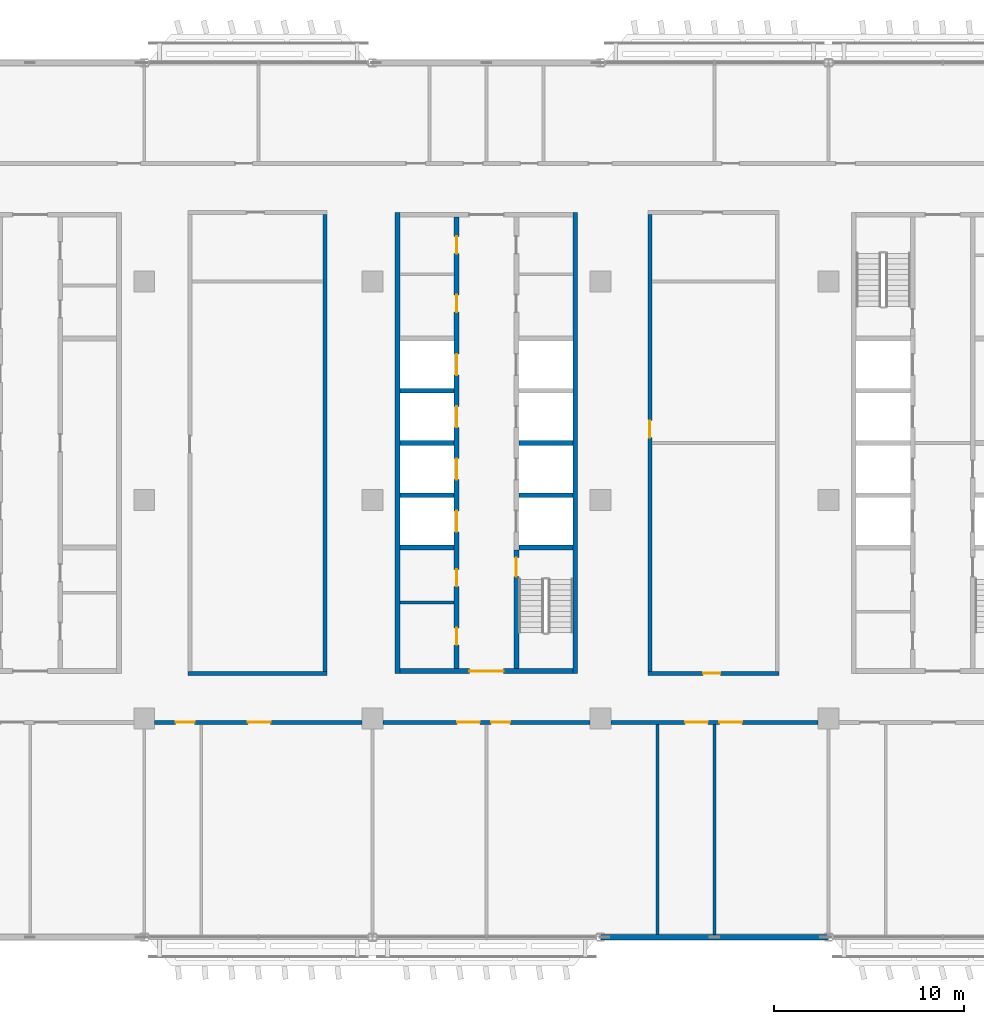
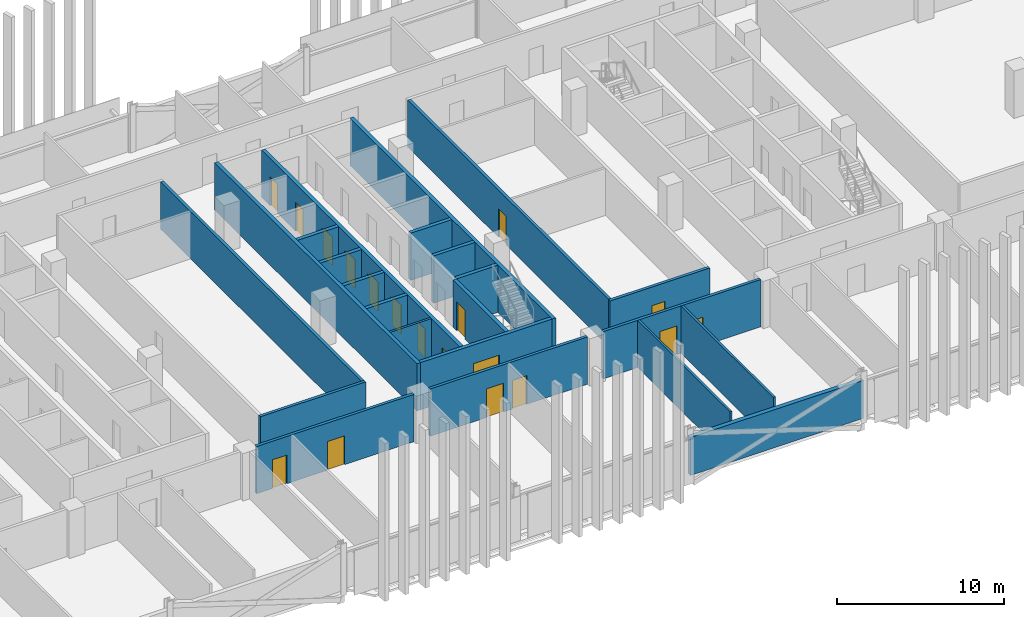
# One storey, part 10 of 28: 23 walls, 18 doors, 18 openings.
"""IFC4 building model written with IfcOpenShell, lengths in metres."""

from ifc_helpers import new_model, si_unit, direction, frame, frame_2d, origin, place, context, subcontext, project, spatial, rectangle, extrude, material, layer, layer_set, type_object, element, fill, save


model = new_model("IFC4")

# Units and contexts
model_context = context("Model", 3, precision=1e-05, world=origin(), true_north=direction((0.0, 1.0)))
body_context = subcontext(model_context, "Body", "Model", "MODEL_VIEW")
ifc_project = project(units=[si_unit("LENGTHUNIT", "METRE"), si_unit("AREAUNIT", "SQUARE_METRE"), si_unit("VOLUMEUNIT", "CUBIC_METRE"), si_unit("PLANEANGLEUNIT", "RADIAN"), si_unit("MASSUNIT", "GRAM", prefix="KILO")], contexts=[model_context])

# Site, building, storey
site_placement = place(None, origin())
site = spatial("IfcSite", under=ifc_project, at=site_placement, CompositionType="ELEMENT")
building_placement = place(site_placement, origin())
building = spatial("IfcBuilding", under=site, at=building_placement, Name="Mahtab Terrace Research Tower", CompositionType="ELEMENT")
storey_placement = place(building_placement, frame((0.0, 0.0, 193.89990234375)))
storey = spatial("IfcBuildingStorey", under=building, at=storey_placement, Name="L46", CompositionType="ELEMENT", Elevation=193.89990234375)

# Walls
ifc_material_1 = material(Name="Gypsum board partition")
ifc_layer_1 = layer(ifc_material_1, 0.14990234375)
ifc_layer_set_1 = layer_set([ifc_layer_1], Name="Core partition 150")
wall_type_1 = type_object("IfcWallType", Name="Core partition 150", PredefinedType="PARTITIONING", material=ifc_layer_set_1)
wall_1_placement = place(storey_placement, frame((-4.550048828125, -5.39501953125, 0.0), z_axis=(0.0, 0.0, 1.0), x_axis=(1.0, 0.0, 0.0)))
element("IfcWall", 1, at=wall_1_placement, inside=storey, type_object=wall_type_1, Name="Core wall B pWS-840", PredefinedType="PARTITIONING", context=body_context, shape_type="SweptSolid", body=[
    extrude(rectangle(XDim=2.85009765625, YDim=0.14990234375, at=frame_2d((1.425048828125, 0.0))), origin(), (0.0, 0.0, 1.0), 3.460205078125),
])
ifc_material_2 = material(Name="Concrete C70/85", Category="concrete")
ifc_layer_2 = layer(ifc_material_2, 0.25)
ifc_layer_set_2 = layer_set([ifc_layer_2], Name="Core wall 250")
wall_type_2 = type_object("IfcWallType", Name="Core wall 250", PredefinedType="SOLIDWALL", material=ifc_layer_set_2)
for number, where, z_axis, x_axis, name in (
    (2, (-4.675048828125, 15.125, 0.0), (0.0, 0.0, 1.0), (0.0, -1.0, 0.0), "Core wall B outerW"),
    (3, (4.675048828125, -9.125, 0.0), (0.0, 0.0, 1.0), (0.0, 1.0, 0.0), "Core wall B outerE"),
):
    element("IfcWall", number, at=place(storey_placement, frame(where, z_axis=z_axis, x_axis=x_axis)), inside=storey, type_object=wall_type_2, Name=name, PredefinedType="SOLIDWALL", context=body_context, shape_type="SweptSolid", body=[
        extrude(rectangle(XDim=24.25, YDim=0.25, at=frame_2d((12.125, 0.0))), origin(), (0.0, 0.0, 1.0), 3.460205078125),
    ])

# Wall, opening, door
wall_2_placement = place(storey_placement, frame((4.550048828125, -9.0, 0.0), z_axis=(0.0, 0.0, 1.0), x_axis=(-1.0, 0.0, 0.0)))
wall_2 = element("IfcWall", 4, at=wall_2_placement, inside=storey, type_object=wall_type_2, Name="Core wall B endS", PredefinedType="SOLIDWALL", context=body_context, shape_type="SweptSolid", body=[
    extrude(rectangle(XDim=9.10009765625, YDim=0.25, at=frame_2d((4.550048828125, 0.0))), origin(), (0.0, 0.0, 1.0), 3.460205078125),
])
opening_1_placement = place(wall_2_placement, frame((3.64990234375, 0.0, 0.0)))
opening_1 = element("IfcOpeningElement", 5, at=opening_1_placement, cuts=wall_2, Name="Opening B-S1", PredefinedType="OPENING", context=body_context, shape_type="SweptSolid", body=[
    extrude(rectangle(XDim=1.800048828125, YDim=2.10009765625, at=frame_2d((0.89990234375, 1.050048828125))), frame((0.0, 0.135009765625, 0.0), z_axis=(0.0, -1.0, 0.0), x_axis=(1.0, 0.0, 0.0)), (0.0, 0.0, 1.0), 0.27001953125),
])
ifc_material_3 = material(Name="Steel fire door", Category="steel")
door_type_1 = type_object("IfcDoorType", Name="Lobby double door 1800x2100 1 HR", OperationType="DOUBLE_DOOR_SINGLE_SWING", PredefinedType="DOOR", material=ifc_material_3)
door_1_placement = place(opening_1_placement, origin())
door_1 = element("IfcDoor", 6, at=door_1_placement, inside=storey, type_object=door_type_1, Name="Core entrance door B S", OperationType="DOUBLE_DOOR_SINGLE_SWING", OverallHeight=2.10009765625, OverallWidth=1.800048828125, PredefinedType="DOOR", context=body_context, shape_type="SweptSolid", body=[
    extrude(rectangle(XDim=1.800048828125, YDim=2.10009765625, at=frame_2d((0.89990234375, 1.050048828125))), frame((0.0, 0.02490234375, 0.0), z_axis=(0.0, -1.0, 0.0), x_axis=(1.0, 0.0, 0.0)), (0.0, 0.0, 1.0), 0.050048828125),
])
fill(opening_1, door_1)

# Wall, openings, doors
wall_3_placement = place(storey_placement, frame((-1.574951171875, -8.875, 0.0), z_axis=(0.0, 0.0, 1.0), x_axis=(0.0, 1.0, 0.0)))
wall_3 = element("IfcWall", 7, at=wall_3_placement, inside=storey, type_object=wall_type_2, Name="Core wall B innerWSLN", PredefinedType="SOLIDWALL", context=body_context, shape_type="SweptSolid", body=[
    extrude(rectangle(XDim=23.75, YDim=0.25, at=frame_2d((11.875, 0.0))), origin(), (0.0, 0.0, 1.0), 3.460205078125),
])
opening_2_placement = place(wall_3_placement, frame((7.199951171875, 0.0, 0.0)))
opening_2 = element("IfcOpeningElement", 8, at=opening_2_placement, cuts=wall_3, Name="Opening LD09-L46", PredefinedType="OPENING", context=body_context, shape_type="SweptSolid", body=[
    extrude(rectangle(XDim=1.10009765625, YDim=2.10009765625, at=frame_2d((0.550048828125, 1.050048828125))), frame((0.0, 0.135009765625, 0.0), z_axis=(0.0, -1.0, 0.0), x_axis=(1.0, 0.0, 0.0)), (0.0, 0.0, 1.0), 0.27001953125),
])
opening_3_placement = place(wall_3_placement, frame((9.949951171875, 0.0, 0.0)))
opening_3 = element("IfcOpeningElement", 9, at=opening_3_placement, cuts=wall_3, Name="Opening LD10-L46", PredefinedType="OPENING", context=body_context, shape_type="SweptSolid", body=[
    extrude(rectangle(XDim=1.10009765625, YDim=2.10009765625, at=frame_2d((0.550048828125, 1.050048828125))), frame((0.0, 0.135009765625, 0.0), z_axis=(0.0, -1.0, 0.0), x_axis=(1.0, 0.0, 0.0)), (0.0, 0.0, 1.0), 0.27001953125),
])
opening_4_placement = place(wall_3_placement, frame((12.699951171875, 0.0, 0.0)))
opening_4 = element("IfcOpeningElement", 10, at=opening_4_placement, cuts=wall_3, Name="Opening LD11-L46", PredefinedType="OPENING", context=body_context, shape_type="SweptSolid", body=[
    extrude(rectangle(XDim=1.10009765625, YDim=2.10009765625, at=frame_2d((0.550048828125, 1.050048828125))), frame((0.0, 0.135009765625, 0.0), z_axis=(0.0, -1.0, 0.0), x_axis=(1.0, 0.0, 0.0)), (0.0, 0.0, 1.0), 0.27001953125),
])
opening_5_placement = place(wall_3_placement, frame((15.449951171875, 0.0, 0.0)))
opening_5 = element("IfcOpeningElement", 11, at=opening_5_placement, cuts=wall_3, Name="Opening LD12-L46", PredefinedType="OPENING", context=body_context, shape_type="SweptSolid", body=[
    extrude(rectangle(XDim=1.10009765625, YDim=2.10009765625, at=frame_2d((0.550048828125, 1.050048828125))), frame((0.0, 0.135009765625, 0.0), z_axis=(0.0, -1.0, 0.0), x_axis=(1.0, 0.0, 0.0)), (0.0, 0.0, 1.0), 0.27001953125),
])
opening_6_placement = place(wall_3_placement, frame((1.25244140625, 0.0, 0.0)))
opening_6 = element("IfcOpeningElement", 12, at=opening_6_placement, cuts=wall_3, Name="Opening B-R1", PredefinedType="OPENING", context=body_context, shape_type="SweptSolid", body=[
    extrude(rectangle(XDim=0.89990234375, YDim=2.10009765625, at=frame_2d((0.449951171875, 1.050048828125))), frame((0.0, 0.135009765625, 0.0), z_axis=(0.0, -1.0, 0.0), x_axis=(1.0, 0.0, 0.0)), (0.0, 0.0, 1.0), 0.27001953125),
])
opening_7_placement = place(wall_3_placement, frame((4.327392578125, 0.0, 0.0)))
opening_7 = element("IfcOpeningElement", 13, at=opening_7_placement, cuts=wall_3, Name="Opening B-R2", PredefinedType="OPENING", context=body_context, shape_type="SweptSolid", body=[
    extrude(rectangle(XDim=0.89990234375, YDim=2.10009765625, at=frame_2d((0.449951171875, 1.050048828125))), frame((0.0, 0.135009765625, 0.0), z_axis=(0.0, -1.0, 0.0), x_axis=(1.0, 0.0, 0.0)), (0.0, 0.0, 1.0), 0.27001953125),
])
opening_8_placement = place(wall_3_placement, frame((18.762451171875, 0.0, 0.0)))
opening_8 = element("IfcOpeningElement", 14, at=opening_8_placement, cuts=wall_3, Name="Opening B-R3", PredefinedType="OPENING", context=body_context, shape_type="SweptSolid", body=[
    extrude(rectangle(XDim=0.89990234375, YDim=2.10009765625, at=frame_2d((0.449951171875, 1.050048828125))), frame((0.0, 0.135009765625, 0.0), z_axis=(0.0, -1.0, 0.0), x_axis=(1.0, 0.0, 0.0)), (0.0, 0.0, 1.0), 0.27001953125),
])
opening_9_placement = place(wall_3_placement, frame((21.83740234375, 0.0, 0.0)))
opening_9 = element("IfcOpeningElement", 15, at=opening_9_placement, cuts=wall_3, Name="Opening B-R4", PredefinedType="OPENING", context=body_context, shape_type="SweptSolid", body=[
    extrude(rectangle(XDim=0.89990234375, YDim=2.10009765625, at=frame_2d((0.449951171875, 1.050048828125))), frame((0.0, 0.135009765625, 0.0), z_axis=(0.0, -1.0, 0.0), x_axis=(1.0, 0.0, 0.0)), (0.0, 0.0, 1.0), 0.27001953125),
])
ifc_material_4 = material(Name="Stainless steel AISI 304", Category="steel")
door_type_2 = type_object("IfcDoorType", Name="Landing door 1100x2100", OperationType="DOUBLE_DOOR_SLIDING", PredefinedType="DOOR", material=ifc_material_4)
door_2_placement = place(opening_2_placement, origin())
door_2 = element("IfcDoor", 16, at=door_2_placement, inside=storey, type_object=door_type_2, Name="Landing door HR1 L46", OperationType="DOUBLE_DOOR_SLIDING", OverallHeight=2.10009765625, OverallWidth=1.10009765625, PredefinedType="DOOR", context=body_context, shape_type="SweptSolid", body=[
    extrude(rectangle(XDim=1.10009765625, YDim=2.10009765625, at=frame_2d((0.550048828125, 1.050048828125))), frame((0.0, 0.02490234375, 0.0), z_axis=(0.0, -1.0, 0.0), x_axis=(1.0, 0.0, 0.0)), (0.0, 0.0, 1.0), 0.050048828125),
])
fill(opening_2, door_2)
door_3_placement = place(opening_3_placement, origin())
door_3 = element("IfcDoor", 17, at=door_3_placement, inside=storey, type_object=door_type_2, Name="Landing door HR2 L46", OperationType="DOUBLE_DOOR_SLIDING", OverallHeight=2.10009765625, OverallWidth=1.10009765625, PredefinedType="DOOR", context=body_context, shape_type="SweptSolid", body=[
    extrude(rectangle(XDim=1.10009765625, YDim=2.10009765625, at=frame_2d((0.550048828125, 1.050048828125))), frame((0.0, 0.02490234375, 0.0), z_axis=(0.0, -1.0, 0.0), x_axis=(1.0, 0.0, 0.0)), (0.0, 0.0, 1.0), 0.050048828125),
])
fill(opening_3, door_3)
door_4_placement = place(opening_4_placement, origin())
door_4 = element("IfcDoor", 18, at=door_4_placement, inside=storey, type_object=door_type_2, Name="Landing door HR3 L46", OperationType="DOUBLE_DOOR_SLIDING", OverallHeight=2.10009765625, OverallWidth=1.10009765625, PredefinedType="DOOR", context=body_context, shape_type="SweptSolid", body=[
    extrude(rectangle(XDim=1.10009765625, YDim=2.10009765625, at=frame_2d((0.550048828125, 1.050048828125))), frame((0.0, 0.02490234375, 0.0), z_axis=(0.0, -1.0, 0.0), x_axis=(1.0, 0.0, 0.0)), (0.0, 0.0, 1.0), 0.050048828125),
])
fill(opening_4, door_4)
door_5_placement = place(opening_5_placement, origin())
door_5 = element("IfcDoor", 19, at=door_5_placement, inside=storey, type_object=door_type_2, Name="Landing door HR4 L46", OperationType="DOUBLE_DOOR_SLIDING", OverallHeight=2.10009765625, OverallWidth=1.10009765625, PredefinedType="DOOR", context=body_context, shape_type="SweptSolid", body=[
    extrude(rectangle(XDim=1.10009765625, YDim=2.10009765625, at=frame_2d((0.550048828125, 1.050048828125))), frame((0.0, 0.02490234375, 0.0), z_axis=(0.0, -1.0, 0.0), x_axis=(1.0, 0.0, 0.0)), (0.0, 0.0, 1.0), 0.050048828125),
])
fill(opening_5, door_5)
door_type_3 = type_object("IfcDoorType", Name="Room door 900x2100 1 HR", OperationType="NOTDEFINED", PredefinedType="DOOR", material=ifc_material_3)
door_6_placement = place(opening_6_placement, origin())
door_6 = element("IfcDoor", 20, at=door_6_placement, inside=storey, type_object=door_type_3, Name="Pantry door", OperationType="SINGLE_SWING_LEFT", OverallHeight=2.10009765625, OverallWidth=0.89990234375, PredefinedType="DOOR", context=body_context, shape_type="SweptSolid", body=[
    extrude(rectangle(XDim=0.89990234375, YDim=2.10009765625, at=frame_2d((0.449951171875, 1.050048828125))), frame((0.0, 0.02490234375, 0.0), z_axis=(0.0, -1.0, 0.0), x_axis=(1.0, 0.0, 0.0)), (0.0, 0.0, 1.0), 0.050048828125),
])
fill(opening_6, door_6)
door_7_placement = place(opening_7_placement, origin())
door_7 = element("IfcDoor", 21, at=door_7_placement, inside=storey, type_object=door_type_3, Name="Linen store door", OperationType="SINGLE_SWING_RIGHT", OverallHeight=2.10009765625, OverallWidth=0.89990234375, PredefinedType="DOOR", context=body_context, shape_type="SweptSolid", body=[
    extrude(rectangle(XDim=0.89990234375, YDim=2.10009765625, at=frame_2d((0.449951171875, 1.050048828125))), frame((0.0, 0.02490234375, 0.0), z_axis=(0.0, -1.0, 0.0), x_axis=(1.0, 0.0, 0.0)), (0.0, 0.0, 1.0), 0.050048828125),
])
fill(opening_7, door_7)
door_8_placement = place(opening_8_placement, origin())
door_8 = element("IfcDoor", 22, at=door_8_placement, inside=storey, type_object=door_type_3, Name="Housekeeping store door", OperationType="SINGLE_SWING_LEFT", OverallHeight=2.10009765625, OverallWidth=0.89990234375, PredefinedType="DOOR", context=body_context, shape_type="SweptSolid", body=[
    extrude(rectangle(XDim=0.89990234375, YDim=2.10009765625, at=frame_2d((0.449951171875, 1.050048828125))), frame((0.0, 0.02490234375, 0.0), z_axis=(0.0, -1.0, 0.0), x_axis=(1.0, 0.0, 0.0)), (0.0, 0.0, 1.0), 0.050048828125),
])
fill(opening_8, door_8)
door_9_placement = place(opening_9_placement, origin())
door_9 = element("IfcDoor", 23, at=door_9_placement, inside=storey, type_object=door_type_3, Name="Electrical riser room door", OperationType="SINGLE_SWING_RIGHT", OverallHeight=2.10009765625, OverallWidth=0.89990234375, PredefinedType="DOOR", context=body_context, shape_type="SweptSolid", body=[
    extrude(rectangle(XDim=0.89990234375, YDim=2.10009765625, at=frame_2d((0.449951171875, 1.050048828125))), frame((0.0, 0.02490234375, 0.0), z_axis=(0.0, -1.0, 0.0), x_axis=(1.0, 0.0, 0.0)), (0.0, 0.0, 1.0), 0.050048828125),
])
fill(opening_9, door_9)

# Wall, opening, door
wall_4_placement = place(storey_placement, frame((1.574951171875, -8.875, 0.0), z_axis=(0.0, 0.0, 1.0), x_axis=(0.0, 1.0, 0.0)))
wall_4 = element("IfcWall", 24, at=wall_4_placement, inside=storey, type_object=wall_type_2, Name="Core wall B innerES", PredefinedType="SOLIDWALL", context=body_context, shape_type="SweptSolid", body=[
    extrude(rectangle(XDim=6.25, YDim=0.25, at=frame_2d((3.125, 0.0))), origin(), (0.0, 0.0, 1.0), 3.460205078125),
])
opening_10_placement = place(wall_4_placement, frame((4.85009765625, 0.0, 0.0)))
opening_10 = element("IfcOpeningElement", 25, at=opening_10_placement, cuts=wall_4, Name="Opening B-ST2", PredefinedType="OPENING", context=body_context, shape_type="SweptSolid", body=[
    extrude(rectangle(XDim=1.0, YDim=2.10009765625, at=frame_2d((0.5, 1.050048828125))), frame((0.0, 0.135009765625, 0.0), z_axis=(0.0, -1.0, 0.0), x_axis=(1.0, 0.0, 0.0)), (0.0, 0.0, 1.0), 0.27001953125),
])
door_type_4 = type_object("IfcDoorType", Name="Stair door 1000x2100 1.5 HR", OperationType="NOTDEFINED", PredefinedType="DOOR", material=ifc_material_3)
door_10_placement = place(opening_10_placement, origin())
door_10 = element("IfcDoor", 26, at=door_10_placement, inside=storey, type_object=door_type_4, Name="Stair door ST2 L46", OperationType="SINGLE_SWING_LEFT", OverallHeight=2.10009765625, OverallWidth=1.0, PredefinedType="DOOR", context=body_context, shape_type="SweptSolid", body=[
    extrude(rectangle(XDim=1.0, YDim=2.10009765625, at=frame_2d((0.5, 1.050048828125))), frame((0.0, 0.02490234375, 0.0), z_axis=(0.0, -1.0, 0.0), x_axis=(1.0, 0.0, 0.0)), (0.0, 0.0, 1.0), 0.050048828125),
])
fill(opening_10, door_10)

# Walls
for number, where, z_axis, x_axis, name in (
    (27, (-4.550048828125, -2.5, 0.0), (0.0, 0.0, 1.0), (1.0, 0.0, 0.0), "Core wall B divW0"),
    (28, (-4.550048828125, 0.25, 0.0), (0.0, 0.0, 1.0), (1.0, 0.0, 0.0), "Core wall B divW1"),
    (29, (-4.550048828125, 3.0, 0.0), (0.0, 0.0, 1.0), (1.0, 0.0, 0.0), "Core wall B divW2"),
    (30, (-4.550048828125, 5.75, 0.0), (0.0, 0.0, 1.0), (1.0, 0.0, 0.0), "Core wall B divW3"),
    (31, (1.699951171875, -2.5, 0.0), (0.0, 0.0, 1.0), (1.0, 0.0, 0.0), "Core wall B divE0"),
    (32, (1.699951171875, 0.25, 0.0), (0.0, 0.0, 1.0), (1.0, 0.0, 0.0), "Core wall B divE1"),
    (33, (1.699951171875, 3.0, 0.0), (0.0, 0.0, 1.0), (1.0, 0.0, 0.0), "Core wall B divE2"),
):
    element("IfcWall", number, at=place(storey_placement, frame(where, z_axis=z_axis, x_axis=x_axis)), inside=storey, type_object=wall_type_2, Name=name, PredefinedType="SOLIDWALL", context=body_context, shape_type="SweptSolid", body=[
        extrude(rectangle(XDim=2.85009765625, YDim=0.25, at=frame_2d((1.425048828125, 0.0))), origin(), (0.0, 0.0, 1.0), 3.460205078125),
    ])
ifc_material_5 = material(Name="Black aluminium cladding panel", Category="aluminium")
ifc_layer_3 = layer(ifc_material_5, 0.300048828125)
ifc_layer_set_3 = layer_set([ifc_layer_3], Name="Opaque facade wall 300")
wall_type_3 = type_object("IfcWallType", Name="Opaque facade wall 300", PredefinedType="NOTDEFINED", material=ifc_layer_set_3)
wall_5_placement = place(storey_placement, frame((6.012451171875, -23.0, 0.0), z_axis=(0.0, 0.0, 1.0), x_axis=(1.0, 0.0, 0.0)))
element("IfcWall", 34, at=wall_5_placement, inside=storey, type_object=wall_type_3, Name="Opaque facade wall L46 S27", PredefinedType="NOTDEFINED", context=body_context, shape_type="SweptSolid", body=[
    extrude(rectangle(XDim=11.97509765625, YDim=0.300048828125, at=frame_2d((5.987548828125, 0.0))), origin(), (0.0, 0.0, 1.0), 2.781982421875),
])

# Wall, openings, doors
ifc_material_6 = material(Name="Gypsum board corridor wall on steel studs", Category="steel")
ifc_layer_4 = layer(ifc_material_6, 0.199951171875)
ifc_layer_set_4 = layer_set([ifc_layer_4], Name="WALL CORRIDOR 200")
wall_type_4 = type_object("IfcWallType", Name="WALL CORRIDOR 200", PredefinedType="PARTITIONING", material=ifc_layer_set_4)
wall_6_placement = place(storey_placement, frame((-17.449951171875, -11.699951171875, 0.0), z_axis=(0.0, 0.0, 1.0), x_axis=(1.0, 0.0, 0.0)))
wall_6 = element("IfcWall", 35, at=wall_6_placement, inside=storey, type_object=wall_type_4, Name="L46-W003", PredefinedType="PARTITIONING", context=body_context, shape_type="SweptSolid", body=[
    extrude(rectangle(XDim=10.89990234375, YDim=0.199951171875, at=frame_2d((5.449951171875, 0.0))), origin(), (0.0, 0.0, 1.0), 3.460205078125),
])
opening_11_placement = place(wall_6_placement, frame((1.10009765625, 0.0, 0.0)))
opening_11 = element("IfcOpeningElement", 36, at=opening_11_placement, cuts=wall_6, Name="Opening L46-105", PredefinedType="OPENING", context=body_context, shape_type="SweptSolid", body=[
    extrude(rectangle(XDim=1.0, YDim=2.10009765625, at=frame_2d((0.5, 1.050048828125))), frame((0.0, 0.10986328125, 0.0), z_axis=(0.0, -1.0, 0.0), x_axis=(1.0, 0.0, 0.0)), (0.0, 0.0, 1.0), 0.219970703125),
])
opening_12_placement = place(wall_6_placement, frame((4.89990234375, 0.0, 0.0)))
opening_12 = element("IfcOpeningElement", 37, at=opening_12_placement, cuts=wall_6, Name="Opening L46-106", PredefinedType="OPENING", context=body_context, shape_type="SweptSolid", body=[
    extrude(rectangle(XDim=1.199951171875, YDim=2.10009765625, at=frame_2d((0.60009765625, 1.050048828125))), frame((0.0, 0.10986328125, 0.0), z_axis=(0.0, -1.0, 0.0), x_axis=(1.0, 0.0, 0.0)), (0.0, 0.0, 1.0), 0.219970703125),
])
ifc_material_7 = material(Name="Timber door leaf in steel frame", Category="steel")
door_type_5 = type_object("IfcDoorType", Name="DOOR 1000X2100 FD30S", OperationType="SINGLE_SWING_LEFT", PredefinedType="DOOR", material=ifc_material_7)
door_11_placement = place(opening_11_placement, origin())
door_11 = element("IfcDoor", 38, at=door_11_placement, inside=storey, type_object=door_type_5, Name="Door L46-105", OperationType="SINGLE_SWING_RIGHT", OverallHeight=2.10009765625, OverallWidth=1.0, PredefinedType="DOOR", context=body_context, shape_type="SweptSolid", body=[
    extrude(rectangle(XDim=1.0, YDim=2.10009765625, at=frame_2d((0.5, 1.050048828125))), frame((0.0, 0.02490234375, 0.0), z_axis=(0.0, -1.0, 0.0), x_axis=(1.0, 0.0, 0.0)), (0.0, 0.0, 1.0), 0.050048828125),
])
fill(opening_11, door_11)
door_type_6 = type_object("IfcDoorType", Name="DOOR 1200X2100 FD30S", OperationType="SINGLE_SWING_LEFT", PredefinedType="DOOR", material=ifc_material_7)
door_12_placement = place(opening_12_placement, origin())
door_12 = element("IfcDoor", 39, at=door_12_placement, inside=storey, type_object=door_type_6, Name="Door L46-106", OperationType="SINGLE_SWING_LEFT", OverallHeight=2.10009765625, OverallWidth=1.199951171875, PredefinedType="DOOR", context=body_context, shape_type="SweptSolid", body=[
    extrude(rectangle(XDim=1.199951171875, YDim=2.10009765625, at=frame_2d((0.60009765625, 1.050048828125))), frame((0.0, 0.02490234375, 0.0), z_axis=(0.0, -1.0, 0.0), x_axis=(1.0, 0.0, 0.0)), (0.0, 0.0, 1.0), 0.050048828125),
])
fill(opening_12, door_12)

wall_7_placement = place(storey_placement, frame((-5.449951171875, -11.699951171875, 0.0), z_axis=(0.0, 0.0, 1.0), x_axis=(1.0, 0.0, 0.0)))
wall_7 = element("IfcWall", 40, at=wall_7_placement, inside=storey, type_object=wall_type_4, Name="L46-W004", PredefinedType="PARTITIONING", context=body_context, shape_type="SweptSolid", body=[
    extrude(rectangle(XDim=10.89990234375, YDim=0.199951171875, at=frame_2d((5.449951171875, 0.0))), origin(), (0.0, 0.0, 1.0), 3.460205078125),
])
opening_13_placement = place(wall_7_placement, frame((3.89990234375, 0.0, 0.0)))
opening_13 = element("IfcOpeningElement", 41, at=opening_13_placement, cuts=wall_7, Name="Opening L46-107", PredefinedType="OPENING", context=body_context, shape_type="SweptSolid", body=[
    extrude(rectangle(XDim=1.199951171875, YDim=2.10009765625, at=frame_2d((0.60009765625, 1.050048828125))), frame((0.0, 0.10986328125, 0.0), z_axis=(0.0, -1.0, 0.0), x_axis=(1.0, 0.0, 0.0)), (0.0, 0.0, 1.0), 0.219970703125),
])
opening_14_placement = place(wall_7_placement, frame((5.699951171875, 0.0, 0.0)))
opening_14 = element("IfcOpeningElement", 42, at=opening_14_placement, cuts=wall_7, Name="Opening L46-108", PredefinedType="OPENING", context=body_context, shape_type="SweptSolid", body=[
    extrude(rectangle(XDim=1.0, YDim=2.10009765625, at=frame_2d((0.5, 1.050048828125))), frame((0.0, 0.10986328125, 0.0), z_axis=(0.0, -1.0, 0.0), x_axis=(1.0, 0.0, 0.0)), (0.0, 0.0, 1.0), 0.219970703125),
])
door_13_placement = place(opening_14_placement, origin())
door_13 = element("IfcDoor", 43, at=door_13_placement, inside=storey, type_object=door_type_5, Name="Door L46-108", OperationType="SINGLE_SWING_LEFT", OverallHeight=2.10009765625, OverallWidth=1.0, PredefinedType="DOOR", context=body_context, shape_type="SweptSolid", body=[
    extrude(rectangle(XDim=1.0, YDim=2.10009765625, at=frame_2d((0.5, 1.050048828125))), frame((0.0, 0.02490234375, 0.0), z_axis=(0.0, -1.0, 0.0), x_axis=(1.0, 0.0, 0.0)), (0.0, 0.0, 1.0), 0.050048828125),
])
fill(opening_14, door_13)
door_14_placement = place(opening_13_placement, origin())
door_14 = element("IfcDoor", 44, at=door_14_placement, inside=storey, type_object=door_type_6, Name="Door L46-107", OperationType="SINGLE_SWING_RIGHT", OverallHeight=2.10009765625, OverallWidth=1.199951171875, PredefinedType="DOOR", context=body_context, shape_type="SweptSolid", body=[
    extrude(rectangle(XDim=1.199951171875, YDim=2.10009765625, at=frame_2d((0.60009765625, 1.050048828125))), frame((0.0, 0.02490234375, 0.0), z_axis=(0.0, -1.0, 0.0), x_axis=(1.0, 0.0, 0.0)), (0.0, 0.0, 1.0), 0.050048828125),
])
fill(opening_13, door_14)

wall_8_placement = place(storey_placement, frame((6.550048828125, -11.699951171875, 0.0), z_axis=(0.0, 0.0, 1.0), x_axis=(1.0, 0.0, 0.0)))
wall_8 = element("IfcWall", 45, at=wall_8_placement, inside=storey, type_object=wall_type_4, Name="L46-W005", PredefinedType="PARTITIONING", context=body_context, shape_type="SweptSolid", body=[
    extrude(rectangle(XDim=10.89990234375, YDim=0.199951171875, at=frame_2d((5.449951171875, 0.0))), origin(), (0.0, 0.0, 1.0), 3.460205078125),
])
opening_15_placement = place(wall_8_placement, frame((3.89990234375, 0.0, 0.0)))
opening_15 = element("IfcOpeningElement", 46, at=opening_15_placement, cuts=wall_8, Name="Opening L46-109", PredefinedType="OPENING", context=body_context, shape_type="SweptSolid", body=[
    extrude(rectangle(XDim=1.199951171875, YDim=2.10009765625, at=frame_2d((0.60009765625, 1.050048828125))), frame((0.0, 0.10986328125, 0.0), z_axis=(0.0, -1.0, 0.0), x_axis=(1.0, 0.0, 0.0)), (0.0, 0.0, 1.0), 0.219970703125),
])
opening_16_placement = place(wall_8_placement, frame((5.699951171875, 0.0, 0.0)))
opening_16 = element("IfcOpeningElement", 47, at=opening_16_placement, cuts=wall_8, Name="Opening L46-110", PredefinedType="OPENING", context=body_context, shape_type="SweptSolid", body=[
    extrude(rectangle(XDim=1.199951171875, YDim=2.10009765625, at=frame_2d((0.60009765625, 1.050048828125))), frame((0.0, 0.10986328125, 0.0), z_axis=(0.0, -1.0, 0.0), x_axis=(1.0, 0.0, 0.0)), (0.0, 0.0, 1.0), 0.219970703125),
])
door_15_placement = place(opening_15_placement, origin())
door_15 = element("IfcDoor", 48, at=door_15_placement, inside=storey, type_object=door_type_6, Name="Door L46-109", OperationType="SINGLE_SWING_RIGHT", OverallHeight=2.10009765625, OverallWidth=1.199951171875, PredefinedType="DOOR", context=body_context, shape_type="SweptSolid", body=[
    extrude(rectangle(XDim=1.199951171875, YDim=2.10009765625, at=frame_2d((0.60009765625, 1.050048828125))), frame((0.0, 0.02490234375, 0.0), z_axis=(0.0, -1.0, 0.0), x_axis=(1.0, 0.0, 0.0)), (0.0, 0.0, 1.0), 0.050048828125),
])
fill(opening_15, door_15)
door_16_placement = place(opening_16_placement, origin())
door_16 = element("IfcDoor", 49, at=door_16_placement, inside=storey, type_object=door_type_6, Name="Door L46-110", OperationType="SINGLE_SWING_LEFT", OverallHeight=2.10009765625, OverallWidth=1.199951171875, PredefinedType="DOOR", context=body_context, shape_type="SweptSolid", body=[
    extrude(rectangle(XDim=1.199951171875, YDim=2.10009765625, at=frame_2d((0.60009765625, 1.050048828125))), frame((0.0, 0.02490234375, 0.0), z_axis=(0.0, -1.0, 0.0), x_axis=(1.0, 0.0, 0.0)), (0.0, 0.0, 1.0), 0.050048828125),
])
fill(opening_16, door_16)

# Wall
wall_9_placement = place(storey_placement, frame((-15.699951171875, -9.125, 0.0), z_axis=(0.0, 0.0, 1.0), x_axis=(1.0, 0.0, 0.0)))
element("IfcWall", 50, at=wall_9_placement, inside=storey, type_object=wall_type_4, Name="L46-W010", PredefinedType="PARTITIONING", context=body_context, shape_type="SweptSolid", body=[
    extrude(rectangle(XDim=7.300048828125, YDim=0.199951171875, at=frame_2d((3.64990234375, 0.0))), origin(), (0.0, 0.0, 1.0), 3.460205078125),
])

# Wall, opening, door
wall_10_placement = place(storey_placement, frame((8.5, -9.125, 0.0), z_axis=(0.0, 0.0, 1.0), x_axis=(1.0, 0.0, 0.0)))
wall_10 = element("IfcWall", 51, at=wall_10_placement, inside=storey, type_object=wall_type_4, Name="L46-W011", PredefinedType="PARTITIONING", context=body_context, shape_type="SweptSolid", body=[
    extrude(rectangle(XDim=6.89990234375, YDim=0.199951171875, at=frame_2d((3.449951171875, 0.0))), origin(), (0.0, 0.0, 1.0), 3.460205078125),
])
opening_17_placement = place(wall_10_placement, frame((2.89990234375, 0.0, 0.0)))
opening_17 = element("IfcOpeningElement", 52, at=opening_17_placement, cuts=wall_10, Name="Opening L46-118", PredefinedType="OPENING", context=body_context, shape_type="SweptSolid", body=[
    extrude(rectangle(XDim=0.89990234375, YDim=2.10009765625, at=frame_2d((0.449951171875, 1.050048828125))), frame((0.0, 0.10986328125, 0.0), z_axis=(0.0, -1.0, 0.0), x_axis=(1.0, 0.0, 0.0)), (0.0, 0.0, 1.0), 0.219970703125),
])
door_type_7 = type_object("IfcDoorType", Name="DOOR 0900X2100 FD30S", OperationType="SINGLE_SWING_LEFT", PredefinedType="DOOR", material=ifc_material_7)
door_17_placement = place(opening_17_placement, origin())
door_17 = element("IfcDoor", 53, at=door_17_placement, inside=storey, type_object=door_type_7, Name="Door L46-118", OperationType="SINGLE_SWING_LEFT", OverallHeight=2.10009765625, OverallWidth=0.89990234375, PredefinedType="DOOR", context=body_context, shape_type="SweptSolid", body=[
    extrude(rectangle(XDim=0.89990234375, YDim=2.10009765625, at=frame_2d((0.449951171875, 1.050048828125))), frame((0.0, 0.02490234375, 0.0), z_axis=(0.0, -1.0, 0.0), x_axis=(1.0, 0.0, 0.0)), (0.0, 0.0, 1.0), 0.050048828125),
])
fill(opening_17, door_17)

# Wall
wall_11_placement = place(storey_placement, frame((-8.5, -9.02490234375, 0.0), z_axis=(0.0, 0.0, 1.0), x_axis=(0.0, 1.0, 0.0)))
element("IfcWall", 54, at=wall_11_placement, inside=storey, type_object=wall_type_4, Name="L46-W037", PredefinedType="PARTITIONING", context=body_context, shape_type="SweptSolid", body=[
    extrude(rectangle(XDim=24.0498046875, YDim=0.199951171875, at=frame_2d((12.02490234375, 0.0))), origin(), (0.0, 0.0, 1.0), 3.460205078125),
])

# Wall, opening, door
wall_12_placement = place(storey_placement, frame((8.60009765625, -9.02490234375, 0.0), z_axis=(0.0, 0.0, 1.0), x_axis=(0.0, 1.0, 0.0)))
wall_12 = element("IfcWall", 55, at=wall_12_placement, inside=storey, type_object=wall_type_4, Name="L46-W043", PredefinedType="PARTITIONING", context=body_context, shape_type="SweptSolid", body=[
    extrude(rectangle(XDim=24.0498046875, YDim=0.199951171875, at=frame_2d((12.02490234375, 0.0))), origin(), (0.0, 0.0, 1.0), 3.460205078125),
])
opening_18_placement = place(wall_12_placement, frame((12.300048828125, 0.0, 0.0)))
opening_18 = element("IfcOpeningElement", 56, at=opening_18_placement, cuts=wall_12, Name="Opening L46-122", PredefinedType="OPENING", context=body_context, shape_type="SweptSolid", body=[
    extrude(rectangle(XDim=0.89990234375, YDim=2.10009765625, at=frame_2d((0.449951171875, 1.050048828125))), frame((0.0, 0.10986328125, 0.0), z_axis=(0.0, -1.0, 0.0), x_axis=(1.0, 0.0, 0.0)), (0.0, 0.0, 1.0), 0.219970703125),
])
door_18_placement = place(opening_18_placement, origin())
door_18 = element("IfcDoor", 57, at=door_18_placement, inside=storey, type_object=door_type_7, Name="Door L46-122", OperationType="SINGLE_SWING_LEFT", OverallHeight=2.10009765625, OverallWidth=0.89990234375, PredefinedType="DOOR", context=body_context, shape_type="SweptSolid", body=[
    extrude(rectangle(XDim=0.89990234375, YDim=2.10009765625, at=frame_2d((0.449951171875, 1.050048828125))), frame((0.0, 0.02490234375, 0.0), z_axis=(0.0, -1.0, 0.0), x_axis=(1.0, 0.0, 0.0)), (0.0, 0.0, 1.0), 0.050048828125),
])
fill(opening_18, door_18)

# Walls
ifc_material_8 = material(Name="Gypsum board partition on steel studs", Category="steel")
ifc_layer_5 = layer(ifc_material_8, 0.14990234375)
ifc_layer_set_5 = layer_set([ifc_layer_5], Name="WALL PARTITION 150")
wall_type_5 = type_object("IfcWallType", Name="WALL PARTITION 150", PredefinedType="PARTITIONING", material=ifc_layer_set_5)
for number, where, z_axis, x_axis, name in (
    (58, (9.0, -22.85009765625, 0.0), (0.0, 0.0, 1.0), (0.0, 1.0, 0.0), "L46-W044"),
    (59, (12.0, -22.85009765625, 0.0), (0.0, 0.0, 1.0), (0.0, 1.0, 0.0), "L46-W045"),
):
    element("IfcWall", number, at=place(storey_placement, frame(where, z_axis=z_axis, x_axis=x_axis)), inside=storey, type_object=wall_type_5, Name=name, PredefinedType="PARTITIONING", context=body_context, shape_type="SweptSolid", body=[
        extrude(rectangle(XDim=11.050048828125, YDim=0.14990234375, at=frame_2d((5.52490234375, 0.0))), origin(), (0.0, 0.0, 1.0), 3.460205078125),
    ])

save(model, "model.ifc")
